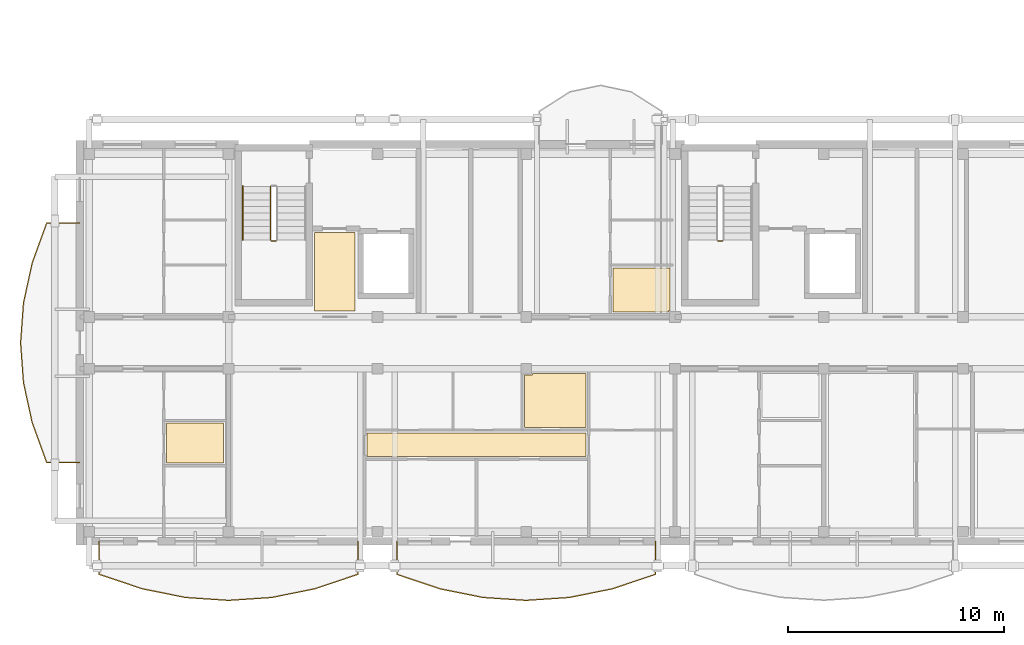
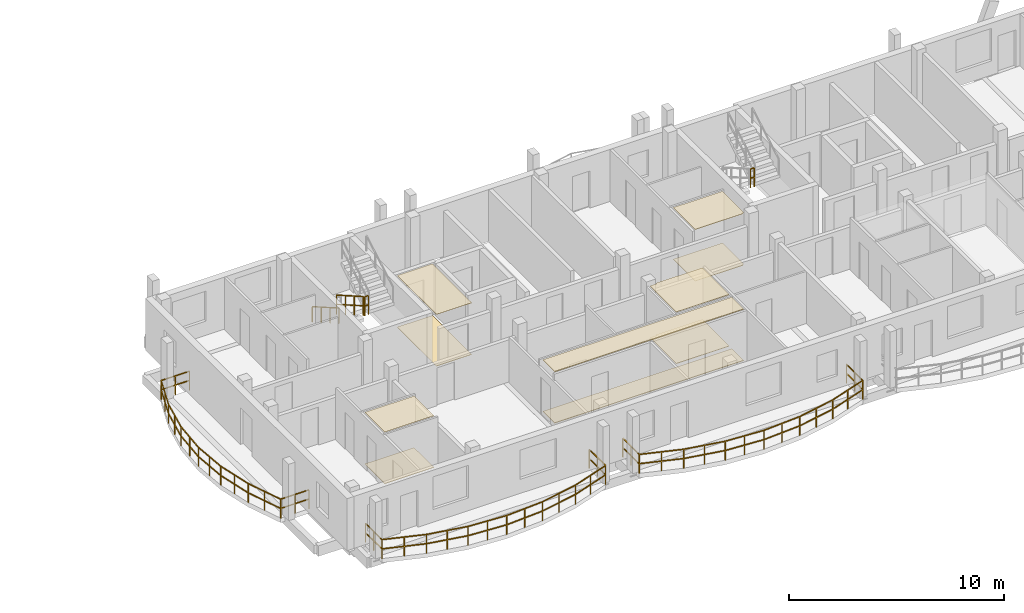
# One storey, part 33 of 42: 10 coverings, 7 railings.
"""IFC4 building model written with IfcOpenShell, lengths in metres."""

from ifc_helpers import new_model, si_unit, direction, frame, origin, origin_2d, place, context, subcontext, project, spatial, polyline, rectangle, outline, extrude, material, layer, layer_set, type_object, element, save


model = new_model("IFC4")

# Units and contexts
model_context = context("Model", 3, precision=1e-05, world=origin(), true_north=direction((0.0, 1.0)))
body_context = subcontext(model_context, "Body", "Model", "MODEL_VIEW")
ifc_project = project(units=[si_unit("LENGTHUNIT", "METRE"), si_unit("AREAUNIT", "SQUARE_METRE"), si_unit("VOLUMEUNIT", "CUBIC_METRE"), si_unit("PLANEANGLEUNIT", "RADIAN"), si_unit("MASSUNIT", "GRAM", prefix="KILO")], contexts=[model_context])

# Site, building, storey
site_placement = place(None, origin())
site = spatial("IfcSite", under=ifc_project, at=site_placement, CompositionType="ELEMENT")
building_placement = place(site_placement, origin())
building = spatial("IfcBuilding", under=site, at=building_placement, Name="Zavelmont Quarter", CompositionType="ELEMENT")
storey_placement = place(building_placement, frame((0.0, 0.0, 24.0)))
storey = spatial("IfcBuildingStorey", under=building, at=storey_placement, Name="L07", CompositionType="ELEMENT", Elevation=24.0)

# Coverings
ifc_material_1 = material(Name="Perforated acoustic gypsum board")
ifc_layer_1 = layer(ifc_material_1, 0.02490234375)
ifc_layer_set_1 = layer_set([ifc_layer_1], Name="Perforated acoustic gypsum board")
covering_type_1 = type_object("IfcCoveringType", Name="CV-CL01", PredefinedType="CEILING", material=ifc_layer_set_1)
covering_1_placement = place(storey_placement, frame((0.0, 0.0, 2.925048828125)))
element("IfcCovering", 1, at=covering_1_placement, inside=storey, type_object=covering_type_1, Name="L07 Lobby Vestibule acoustic ceiling", PredefinedType="CEILING", context=body_context, shape_type="SweptSolid", body=[
    extrude(outline(polyline([(10.8798828125, 14.320068359375), (12.77001953125, 14.320068359375), (12.77001953125, 10.679931640625), (10.8798828125, 10.679931640625), (10.8798828125, 14.320068359375)])), origin(), (0.0, 0.0, 1.0), 0.02490234375),
])
covering_2_placement = place(storey_placement, frame((0.0, 0.0, 2.925048828125)))
element("IfcCovering", 2, at=covering_2_placement, inside=storey, type_object=covering_type_1, Name="L07 Utility Laundry acoustic ceiling", PredefinedType="CEILING", context=body_context, shape_type="SweptSolid", body=[
    extrude(outline(polyline([(20.6298828125, 7.7099609375), (20.989990234375, 7.7099609375), (20.989990234375, 7.77001953125), (23.469970703125, 7.77001953125), (23.469970703125, 5.280029296875), (20.6298828125, 5.280029296875), (20.6298828125, 7.7099609375)])), origin(), (0.0, 0.0, 1.0), 0.02490234375),
])
covering_3_placement = place(storey_placement, frame((0.0, 0.0, 2.925048828125)))
element("IfcCovering", 3, at=covering_3_placement, inside=storey, type_object=covering_type_1, Name="L07 Kitchen acoustic ceiling", PredefinedType="CEILING", context=body_context, shape_type="SweptSolid", body=[
    extrude(outline(polyline([(24.72998046875, 12.669921875), (27.3701171875, 12.669921875), (27.3701171875, 10.68994140625), (27.31005859375, 10.68994140625), (27.31005859375, 10.6298828125), (24.72998046875, 10.6298828125), (24.72998046875, 12.669921875)])), origin(), (0.0, 0.0, 1.0), 0.02490234375),
])
ifc_material_2 = material(Name="Slatted European ash acoustic baffle ceiling")
ifc_layer_2 = layer(ifc_material_2, 0.0400390625)
ifc_layer_set_2 = layer_set([ifc_layer_2], Name="Slatted European ash acoustic baffle ceiling")
covering_type_2 = type_object("IfcCoveringType", Name="CV-CL02", PredefinedType="CEILING", material=ifc_layer_set_2)
covering_4_placement = place(storey_placement, frame((0.0, 0.0, 2.909912109375)))
element("IfcCovering", 4, at=covering_4_placement, inside=storey, type_object=covering_type_2, Name="L07 Apartment Hall acoustic ceiling", PredefinedType="CEILING", context=body_context, shape_type="SweptSolid", body=[
    extrude(outline(polyline([(13.330078125, 5.02001953125), (23.469970703125, 5.02001953125), (23.469970703125, 3.929931640625), (13.330078125, 3.929931640625), (13.330078125, 5.02001953125)])), origin(), (0.0, 0.0, 1.0), 0.0400390625),
])
ifc_material_3 = material(Name="Moisture-resistant painted gypsum ceiling")
ifc_layer_3 = layer(ifc_material_3, 0.02001953125)
ifc_layer_set_3 = layer_set([ifc_layer_3], Name="Moisture-resistant painted gypsum ceiling")
covering_type_3 = type_object("IfcCoveringType", Name="CV-CL04", PredefinedType="CEILING", material=ifc_layer_set_3)
covering_5_placement = place(storey_placement, frame((0.0, 0.0, 2.929931640625)))
element("IfcCovering", 5, at=covering_5_placement, inside=storey, type_object=covering_type_3, Name="L07 Bathroom acoustic ceiling", PredefinedType="CEILING", context=body_context, shape_type="SweptSolid", body=[
    extrude(outline(polyline([(4.030029296875, 5.469970703125), (6.669921875, 5.469970703125), (6.669921875, 3.6298828125), (4.030029296875, 3.6298828125), (4.030029296875, 5.469970703125)])), origin(), (0.0, 0.0, 1.0), 0.02001953125),
])
ifc_material_4 = material(Name="Engineered European oak parquet")
ifc_layer_4 = layer(ifc_material_4, 0.02197265625)
ifc_layer_set_4 = layer_set([ifc_layer_4], Name="Engineered European oak parquet")
covering_type_4 = type_object("IfcCoveringType", Name="CV-FL01", PredefinedType="FLOORING", material=ifc_layer_set_4)
covering_6_placement = place(storey_placement, origin())
element("IfcCovering", 6, at=covering_6_placement, inside=storey, type_object=covering_type_4, Name="L07 Lobby Vestibule floor finish", PredefinedType="FLOORING", context=body_context, shape_type="SweptSolid", body=[
    extrude(outline(polyline([(10.8798828125, 14.320068359375), (12.77001953125, 14.320068359375), (12.77001953125, 10.679931640625), (10.8798828125, 10.679931640625), (10.8798828125, 14.320068359375)])), origin(), (0.0, 0.0, 1.0), 0.02197265625),
])
covering_7_placement = place(storey_placement, origin())
element("IfcCovering", 7, at=covering_7_placement, inside=storey, type_object=covering_type_4, Name="L07 Utility Laundry floor finish", PredefinedType="FLOORING", context=body_context, shape_type="SweptSolid", body=[
    extrude(outline(polyline([(20.6298828125, 7.7099609375), (20.989990234375, 7.7099609375), (20.989990234375, 7.77001953125), (23.469970703125, 7.77001953125), (23.469970703125, 5.280029296875), (20.6298828125, 5.280029296875), (20.6298828125, 7.7099609375)])), origin(), (0.0, 0.0, 1.0), 0.02197265625),
])
covering_8_placement = place(storey_placement, origin())
element("IfcCovering", 8, at=covering_8_placement, inside=storey, type_object=covering_type_4, Name="L07 Kitchen floor finish", PredefinedType="FLOORING", context=body_context, shape_type="SweptSolid", body=[
    extrude(outline(polyline([(24.72998046875, 12.669921875), (27.3701171875, 12.669921875), (27.3701171875, 10.68994140625), (27.31005859375, 10.68994140625), (27.31005859375, 10.6298828125), (24.72998046875, 10.6298828125), (24.72998046875, 12.669921875)])), origin(), (0.0, 0.0, 1.0), 0.02197265625),
])
ifc_material_5 = material(Name="Honed Belgian bluestone tile", Category="masonry")
ifc_layer_5 = layer(ifc_material_5, 0.030029296875)
ifc_layer_set_5 = layer_set([ifc_layer_5], Name="Honed Belgian bluestone tile")
covering_type_5 = type_object("IfcCoveringType", Name="CV-FL02", PredefinedType="FLOORING", material=ifc_layer_set_5)
covering_9_placement = place(storey_placement, origin())
element("IfcCovering", 9, at=covering_9_placement, inside=storey, type_object=covering_type_5, Name="L07 Apartment Hall floor finish", PredefinedType="FLOORING", context=body_context, shape_type="SweptSolid", body=[
    extrude(outline(polyline([(13.330078125, 5.02001953125), (23.469970703125, 5.02001953125), (23.469970703125, 3.929931640625), (13.330078125, 3.929931640625), (13.330078125, 5.02001953125)])), origin(), (0.0, 0.0, 1.0), 0.030029296875),
])
ifc_material_6 = material(Name="Slip-resistant porcelain tile")
ifc_layer_6 = layer(ifc_material_6, 0.02587890625)
ifc_layer_set_6 = layer_set([ifc_layer_6], Name="Slip-resistant porcelain tile")
covering_type_6 = type_object("IfcCoveringType", Name="CV-FL04", PredefinedType="FLOORING", material=ifc_layer_set_6)
covering_10_placement = place(storey_placement, origin())
element("IfcCovering", 10, at=covering_10_placement, inside=storey, type_object=covering_type_6, Name="L07 Bathroom floor finish", PredefinedType="FLOORING", context=body_context, shape_type="SweptSolid", body=[
    extrude(outline(polyline([(4.030029296875, 5.469970703125), (6.669921875, 5.469970703125), (6.669921875, 3.6298828125), (4.030029296875, 3.6298828125), (4.030029296875, 5.469970703125)])), origin(), (0.0, 0.0, 1.0), 0.02587890625),
])

# Railings
ifc_material_7 = material(Name="Powder-coated steel and tempered double safety glass", Category="steel")
railing_type_1 = type_object("IfcRailingType", Name="RL-BAL1", PredefinedType="BALUSTRADE", material=ifc_material_7)
railing_1_placement = place(storey_placement, frame((0.89990234375, -0.02001953125, 0.0)))
element("IfcRailing", 11, at=railing_1_placement, inside=storey, type_object=railing_type_1, Name="L07 Block A curved balcony guard RL-BAL1", PredefinedType="BALUSTRADE", context=body_context, shape_type="SweptSolid", body=[
    extrude(rectangle(XDim=0.048095703125, YDim=0.048095703125, at=origin_2d()), frame((0.0, 0.0, 1.076171875), z_axis=(0.0, -1.0, 0.0), x_axis=(1.0, 0.0, 0.0)), (0.0, 0.0, 1.0), 1.518798828125),
    extrude(rectangle(XDim=0.048095703125, YDim=0.048095703125, at=origin_2d()), frame((0.0, 0.0, 0.550048828125), z_axis=(0.0, -1.0, 0.0), x_axis=(1.0, 0.0, 0.0)), (0.0, 0.0, 1.0), 1.518798828125),
    extrude(rectangle(XDim=0.048095703125, YDim=0.048095703125, at=origin_2d()), frame((0.0, -1.518798828125, 1.076171875), z_axis=(0.947940118274, -0.318448633483, 0.0), x_axis=(0.318448633483, 0.947940118274, 0.0)), (0.0, 0.0, 1.0), 2.10986328125),
    extrude(rectangle(XDim=0.048095703125, YDim=0.048095703125, at=origin_2d()), frame((0.0, -1.518798828125, 0.550048828125), z_axis=(0.947940118274, -0.318448633483, 0.0), x_axis=(0.318448633483, 0.947940118274, 0.0)), (0.0, 0.0, 1.0), 2.10986328125),
    extrude(rectangle(XDim=0.048095703125, YDim=0.048095703125, at=origin_2d()), frame((2.0, -2.190673828125, 1.076171875), z_axis=(0.980289648233, -0.197565699369, 0.0), x_axis=(0.197565699369, 0.980289648233, 0.0)), (0.0, 0.0, 1.0), 2.040283203125),
    extrude(rectangle(XDim=0.048095703125, YDim=0.048095703125, at=origin_2d()), frame((2.0, -2.190673828125, 0.550048828125), z_axis=(0.980289648233, -0.197565699369, 0.0), x_axis=(0.197565699369, 0.980289648233, 0.0)), (0.0, 0.0, 1.0), 2.040283203125),
    extrude(rectangle(XDim=0.048095703125, YDim=0.048095703125, at=origin_2d()), frame((4.0, -2.59375, 1.076171875), z_axis=(0.997753790287, -0.066987864338, 0.0), x_axis=(0.066987864338, 0.997753790287, 0.0)), (0.0, 0.0, 1.0), 2.00439453125),
    extrude(rectangle(XDim=0.048095703125, YDim=0.048095703125, at=origin_2d()), frame((4.0, -2.59375, 0.550048828125), z_axis=(0.997753790287, -0.066987864338, 0.0), x_axis=(0.066987864338, 0.997753790287, 0.0)), (0.0, 0.0, 1.0), 2.00439453125),
    extrude(rectangle(XDim=0.048095703125, YDim=0.048095703125, at=origin_2d()), frame((6.0, -2.72802734375, 1.076171875), z_axis=(0.997753790287, 0.066987864338, 0.0), x_axis=(-0.066987864338, 0.997753790287, 0.0)), (0.0, 0.0, 1.0), 2.00439453125),
    extrude(rectangle(XDim=0.048095703125, YDim=0.048095703125, at=origin_2d()), frame((6.0, -2.72802734375, 0.550048828125), z_axis=(0.997753790287, 0.066987864338, 0.0), x_axis=(-0.066987864338, 0.997753790287, 0.0)), (0.0, 0.0, 1.0), 2.00439453125),
    extrude(rectangle(XDim=0.048095703125, YDim=0.048095703125, at=origin_2d()), frame((8.0, -2.59375, 1.076171875), z_axis=(0.980289648233, 0.197565699369, 0.0), x_axis=(-0.197565699369, 0.980289648233, 0.0)), (0.0, 0.0, 1.0), 2.040283203125),
    extrude(rectangle(XDim=0.048095703125, YDim=0.048095703125, at=origin_2d()), frame((8.0, -2.59375, 0.550048828125), z_axis=(0.980289648233, 0.197565699369, 0.0), x_axis=(-0.197565699369, 0.980289648233, 0.0)), (0.0, 0.0, 1.0), 2.040283203125),
    extrude(rectangle(XDim=0.048095703125, YDim=0.048095703125, at=origin_2d()), frame((10.0, -2.190673828125, 1.076171875), z_axis=(0.947940118274, 0.318448633483, 0.0), x_axis=(-0.318448633483, 0.947940118274, 0.0)), (0.0, 0.0, 1.0), 2.10986328125),
    extrude(rectangle(XDim=0.048095703125, YDim=0.048095703125, at=origin_2d()), frame((10.0, -2.190673828125, 0.550048828125), z_axis=(0.947940118274, 0.318448633483, 0.0), x_axis=(-0.318448633483, 0.947940118274, 0.0)), (0.0, 0.0, 1.0), 2.10986328125),
    extrude(rectangle(XDim=0.048095703125, YDim=0.048095703125, at=origin_2d()), frame((12.0, -1.518798828125, 1.076171875), z_axis=(0.0, 1.0, 0.0), x_axis=(-1.0, 0.0, 0.0)), (0.0, 0.0, 1.0), 1.518798828125),
    extrude(rectangle(XDim=0.048095703125, YDim=0.048095703125, at=origin_2d()), frame((12.0, -1.518798828125, 0.550048828125), z_axis=(0.0, 1.0, 0.0), x_axis=(-1.0, 0.0, 0.0)), (0.0, 0.0, 1.0), 1.518798828125),
    extrude(rectangle(XDim=0.0419921875, YDim=0.0419921875, at=origin_2d()), origin(), (0.0, 0.0, 1.0), 1.052001953125),
    extrude(rectangle(XDim=0.0419921875, YDim=0.0419921875, at=origin_2d()), frame((0.0, -0.75927734375, 0.0)), (0.0, 0.0, 1.0), 1.052001953125),
    extrude(rectangle(XDim=0.0419921875, YDim=0.0419921875, at=origin_2d()), frame((0.0, -1.518798828125, 0.0)), (0.0, 0.0, 1.0), 1.052001953125),
    extrude(rectangle(XDim=0.0419921875, YDim=0.0419921875, at=origin_2d()), frame((1.0, -1.854736328125, 0.0)), (0.0, 0.0, 1.0), 1.052001953125),
    extrude(rectangle(XDim=0.0419921875, YDim=0.0419921875, at=origin_2d()), frame((2.0, -2.190673828125, 0.0)), (0.0, 0.0, 1.0), 1.052001953125),
    extrude(rectangle(XDim=0.0419921875, YDim=0.0419921875, at=origin_2d()), frame((3.0, -2.39208984375, 0.0)), (0.0, 0.0, 1.0), 1.052001953125),
    extrude(rectangle(XDim=0.0419921875, YDim=0.0419921875, at=origin_2d()), frame((4.0, -2.59375, 0.0)), (0.0, 0.0, 1.0), 1.052001953125),
    extrude(rectangle(XDim=0.0419921875, YDim=0.0419921875, at=origin_2d()), frame((5.0, -2.660888671875, 0.0)), (0.0, 0.0, 1.0), 1.052001953125),
    extrude(rectangle(XDim=0.0419921875, YDim=0.0419921875, at=origin_2d()), frame((6.0, -2.72802734375, 0.0)), (0.0, 0.0, 1.0), 1.052001953125),
    extrude(rectangle(XDim=0.0419921875, YDim=0.0419921875, at=origin_2d()), frame((7.0, -2.660888671875, 0.0)), (0.0, 0.0, 1.0), 1.052001953125),
    extrude(rectangle(XDim=0.0419921875, YDim=0.0419921875, at=origin_2d()), frame((8.0, -2.59375, 0.0)), (0.0, 0.0, 1.0), 1.052001953125),
    extrude(rectangle(XDim=0.0419921875, YDim=0.0419921875, at=origin_2d()), frame((9.0, -2.39208984375, 0.0)), (0.0, 0.0, 1.0), 1.052001953125),
    extrude(rectangle(XDim=0.0419921875, YDim=0.0419921875, at=origin_2d()), frame((10.0, -2.190673828125, 0.0)), (0.0, 0.0, 1.0), 1.052001953125),
    extrude(rectangle(XDim=0.0419921875, YDim=0.0419921875, at=origin_2d()), frame((11.0, -1.854736328125, 0.0)), (0.0, 0.0, 1.0), 1.052001953125),
    extrude(rectangle(XDim=0.0419921875, YDim=0.0419921875, at=origin_2d()), frame((12.0, -1.518798828125, 0.0)), (0.0, 0.0, 1.0), 1.052001953125),
    extrude(rectangle(XDim=0.0419921875, YDim=0.0419921875, at=origin_2d()), frame((12.0, -0.75927734375, 0.0)), (0.0, 0.0, 1.0), 1.052001953125),
    extrude(rectangle(XDim=0.0419921875, YDim=0.0419921875, at=origin_2d()), frame((12.0, 0.0, 0.0)), (0.0, 0.0, 1.0), 1.052001953125),
])
railing_2_placement = place(storey_placement, frame((14.699951171875, -0.02001953125, 0.0)))
element("IfcRailing", 12, at=railing_2_placement, inside=storey, type_object=railing_type_1, Name="L07 Block A curved balcony guard RL-BAL1", PredefinedType="BALUSTRADE", context=body_context, shape_type="SweptSolid", body=[
    extrude(rectangle(XDim=0.048095703125, YDim=0.048095703125, at=origin_2d()), frame((0.0, 0.0, 1.076171875), z_axis=(0.0, -1.0, 0.0), x_axis=(1.0, 0.0, 0.0)), (0.0, 0.0, 1.0), 1.518798828125),
    extrude(rectangle(XDim=0.048095703125, YDim=0.048095703125, at=origin_2d()), frame((0.0, 0.0, 0.550048828125), z_axis=(0.0, -1.0, 0.0), x_axis=(1.0, 0.0, 0.0)), (0.0, 0.0, 1.0), 1.518798828125),
    extrude(rectangle(XDim=0.048095703125, YDim=0.048095703125, at=origin_2d()), frame((0.0, -1.518798828125, 1.076171875), z_axis=(0.947940118274, -0.318448633483, 0.0), x_axis=(0.318448633483, 0.947940118274, 0.0)), (0.0, 0.0, 1.0), 2.10986328125),
    extrude(rectangle(XDim=0.048095703125, YDim=0.048095703125, at=origin_2d()), frame((0.0, -1.518798828125, 0.550048828125), z_axis=(0.947940118274, -0.318448633483, 0.0), x_axis=(0.318448633483, 0.947940118274, 0.0)), (0.0, 0.0, 1.0), 2.10986328125),
    extrude(rectangle(XDim=0.048095703125, YDim=0.048095703125, at=origin_2d()), frame((2.0, -2.190673828125, 1.076171875), z_axis=(0.980289648233, -0.197565699369, 0.0), x_axis=(0.197565699369, 0.980289648233, 0.0)), (0.0, 0.0, 1.0), 2.040283203125),
    extrude(rectangle(XDim=0.048095703125, YDim=0.048095703125, at=origin_2d()), frame((2.0, -2.190673828125, 0.550048828125), z_axis=(0.980289648233, -0.197565699369, 0.0), x_axis=(0.197565699369, 0.980289648233, 0.0)), (0.0, 0.0, 1.0), 2.040283203125),
    extrude(rectangle(XDim=0.048095703125, YDim=0.048095703125, at=origin_2d()), frame((4.0, -2.59375, 1.076171875), z_axis=(0.997753790287, -0.066987864338, 0.0), x_axis=(0.066987864338, 0.997753790287, 0.0)), (0.0, 0.0, 1.0), 2.00439453125),
    extrude(rectangle(XDim=0.048095703125, YDim=0.048095703125, at=origin_2d()), frame((4.0, -2.59375, 0.550048828125), z_axis=(0.997753790287, -0.066987864338, 0.0), x_axis=(0.066987864338, 0.997753790287, 0.0)), (0.0, 0.0, 1.0), 2.00439453125),
    extrude(rectangle(XDim=0.048095703125, YDim=0.048095703125, at=origin_2d()), frame((6.0, -2.72802734375, 1.076171875), z_axis=(0.997753790287, 0.066987864338, 0.0), x_axis=(-0.066987864338, 0.997753790287, 0.0)), (0.0, 0.0, 1.0), 2.00439453125),
    extrude(rectangle(XDim=0.048095703125, YDim=0.048095703125, at=origin_2d()), frame((6.0, -2.72802734375, 0.550048828125), z_axis=(0.997753790287, 0.066987864338, 0.0), x_axis=(-0.066987864338, 0.997753790287, 0.0)), (0.0, 0.0, 1.0), 2.00439453125),
    extrude(rectangle(XDim=0.048095703125, YDim=0.048095703125, at=origin_2d()), frame((8.0, -2.59375, 1.076171875), z_axis=(0.980289648233, 0.197565699369, 0.0), x_axis=(-0.197565699369, 0.980289648233, 0.0)), (0.0, 0.0, 1.0), 2.040283203125),
    extrude(rectangle(XDim=0.048095703125, YDim=0.048095703125, at=origin_2d()), frame((8.0, -2.59375, 0.550048828125), z_axis=(0.980289648233, 0.197565699369, 0.0), x_axis=(-0.197565699369, 0.980289648233, 0.0)), (0.0, 0.0, 1.0), 2.040283203125),
    extrude(rectangle(XDim=0.048095703125, YDim=0.048095703125, at=origin_2d()), frame((10.0, -2.190673828125, 1.076171875), z_axis=(0.947940118274, 0.318448633483, 0.0), x_axis=(-0.318448633483, 0.947940118274, 0.0)), (0.0, 0.0, 1.0), 2.10986328125),
    extrude(rectangle(XDim=0.048095703125, YDim=0.048095703125, at=origin_2d()), frame((10.0, -2.190673828125, 0.550048828125), z_axis=(0.947940118274, 0.318448633483, 0.0), x_axis=(-0.318448633483, 0.947940118274, 0.0)), (0.0, 0.0, 1.0), 2.10986328125),
    extrude(rectangle(XDim=0.048095703125, YDim=0.048095703125, at=origin_2d()), frame((12.0, -1.518798828125, 1.076171875), z_axis=(0.0, 1.0, 0.0), x_axis=(-1.0, 0.0, 0.0)), (0.0, 0.0, 1.0), 1.518798828125),
    extrude(rectangle(XDim=0.048095703125, YDim=0.048095703125, at=origin_2d()), frame((12.0, -1.518798828125, 0.550048828125), z_axis=(0.0, 1.0, 0.0), x_axis=(-1.0, 0.0, 0.0)), (0.0, 0.0, 1.0), 1.518798828125),
    extrude(rectangle(XDim=0.0419921875, YDim=0.0419921875, at=origin_2d()), origin(), (0.0, 0.0, 1.0), 1.052001953125),
    extrude(rectangle(XDim=0.0419921875, YDim=0.0419921875, at=origin_2d()), frame((0.0, -0.75927734375, 0.0)), (0.0, 0.0, 1.0), 1.052001953125),
    extrude(rectangle(XDim=0.0419921875, YDim=0.0419921875, at=origin_2d()), frame((0.0, -1.518798828125, 0.0)), (0.0, 0.0, 1.0), 1.052001953125),
    extrude(rectangle(XDim=0.0419921875, YDim=0.0419921875, at=origin_2d()), frame((1.0, -1.854736328125, 0.0)), (0.0, 0.0, 1.0), 1.052001953125),
    extrude(rectangle(XDim=0.0419921875, YDim=0.0419921875, at=origin_2d()), frame((2.0, -2.190673828125, 0.0)), (0.0, 0.0, 1.0), 1.052001953125),
    extrude(rectangle(XDim=0.0419921875, YDim=0.0419921875, at=origin_2d()), frame((3.0, -2.39208984375, 0.0)), (0.0, 0.0, 1.0), 1.052001953125),
    extrude(rectangle(XDim=0.0419921875, YDim=0.0419921875, at=origin_2d()), frame((4.0, -2.59375, 0.0)), (0.0, 0.0, 1.0), 1.052001953125),
    extrude(rectangle(XDim=0.0419921875, YDim=0.0419921875, at=origin_2d()), frame((5.0, -2.660888671875, 0.0)), (0.0, 0.0, 1.0), 1.052001953125),
    extrude(rectangle(XDim=0.0419921875, YDim=0.0419921875, at=origin_2d()), frame((6.0, -2.72802734375, 0.0)), (0.0, 0.0, 1.0), 1.052001953125),
    extrude(rectangle(XDim=0.0419921875, YDim=0.0419921875, at=origin_2d()), frame((7.0, -2.660888671875, 0.0)), (0.0, 0.0, 1.0), 1.052001953125),
    extrude(rectangle(XDim=0.0419921875, YDim=0.0419921875, at=origin_2d()), frame((8.0, -2.59375, 0.0)), (0.0, 0.0, 1.0), 1.052001953125),
    extrude(rectangle(XDim=0.0419921875, YDim=0.0419921875, at=origin_2d()), frame((9.0, -2.39208984375, 0.0)), (0.0, 0.0, 1.0), 1.052001953125),
    extrude(rectangle(XDim=0.0419921875, YDim=0.0419921875, at=origin_2d()), frame((10.0, -2.190673828125, 0.0)), (0.0, 0.0, 1.0), 1.052001953125),
    extrude(rectangle(XDim=0.0419921875, YDim=0.0419921875, at=origin_2d()), frame((11.0, -1.854736328125, 0.0)), (0.0, 0.0, 1.0), 1.052001953125),
    extrude(rectangle(XDim=0.0419921875, YDim=0.0419921875, at=origin_2d()), frame((12.0, -1.518798828125, 0.0)), (0.0, 0.0, 1.0), 1.052001953125),
    extrude(rectangle(XDim=0.0419921875, YDim=0.0419921875, at=origin_2d()), frame((12.0, -0.75927734375, 0.0)), (0.0, 0.0, 1.0), 1.052001953125),
    extrude(rectangle(XDim=0.0419921875, YDim=0.0419921875, at=origin_2d()), frame((12.0, 0.0, 0.0)), (0.0, 0.0, 1.0), 1.052001953125),
])
railing_3_placement = place(storey_placement, frame((-0.02001953125, 14.75, 0.0)))
element("IfcRailing", 13, at=railing_3_placement, inside=storey, type_object=railing_type_1, Name="L07 Block A curved balcony guard RL-BAL1", PredefinedType="BALUSTRADE", context=body_context, shape_type="SweptSolid", body=[
    extrude(rectangle(XDim=0.048095703125, YDim=0.048095703125, at=origin_2d()), frame((0.0, 0.0, 1.076171875), z_axis=(-1.0, 0.0, 0.0), x_axis=(0.0, -1.0, 0.0)), (0.0, 0.0, 1.0), 1.518798828125),
    extrude(rectangle(XDim=0.048095703125, YDim=0.048095703125, at=origin_2d()), frame((0.0, 0.0, 0.550048828125), z_axis=(-1.0, 0.0, 0.0), x_axis=(0.0, -1.0, 0.0)), (0.0, 0.0, 1.0), 1.518798828125),
    extrude(rectangle(XDim=0.048095703125, YDim=0.048095703125, at=origin_2d()), frame((-1.518798828125, 0.0, 1.076171875), z_axis=(-0.341344671391, -0.939938197603, 0.0), x_axis=(0.939938197603, -0.341344671391, 0.0)), (0.0, 0.0, 1.0), 1.96826171875),
    extrude(rectangle(XDim=0.048095703125, YDim=0.048095703125, at=origin_2d()), frame((-1.518798828125, 0.0, 0.550048828125), z_axis=(-0.341344671391, -0.939938197603, 0.0), x_axis=(0.939938197603, -0.341344671391, 0.0)), (0.0, 0.0, 1.0), 1.96826171875),
    extrude(rectangle(XDim=0.048095703125, YDim=0.048095703125, at=origin_2d()), frame((-2.190673828125, -1.85009765625, 1.076171875), z_axis=(-0.21290073888, -0.977073833128, 0.0), x_axis=(0.977073833128, -0.21290073888, 0.0)), (0.0, 0.0, 1.0), 1.893310546875),
    extrude(rectangle(XDim=0.048095703125, YDim=0.048095703125, at=origin_2d()), frame((-2.190673828125, -1.85009765625, 0.550048828125), z_axis=(-0.21290073888, -0.977073833128, 0.0), x_axis=(0.977073833128, -0.21290073888, 0.0)), (0.0, 0.0, 1.0), 1.893310546875),
    extrude(rectangle(XDim=0.048095703125, YDim=0.048095703125, at=origin_2d()), frame((-2.59375, -3.699951171875, 1.076171875), z_axis=(-0.072388109887, -0.997376539501, 0.0), x_axis=(0.997376539501, -0.072388109887, 0.0)), (0.0, 0.0, 1.0), 1.85498046875),
    extrude(rectangle(XDim=0.048095703125, YDim=0.048095703125, at=origin_2d()), frame((-2.59375, -3.699951171875, 0.550048828125), z_axis=(-0.072388109887, -0.997376539501, 0.0), x_axis=(0.997376539501, -0.072388109887, 0.0)), (0.0, 0.0, 1.0), 1.85498046875),
    extrude(rectangle(XDim=0.048095703125, YDim=0.048095703125, at=origin_2d()), frame((-2.72802734375, -5.550048828125, 1.076171875), z_axis=(0.07239761348, -0.997375849699, 0.0), x_axis=(0.997375849699, 0.07239761348, 0.0)), (0.0, 0.0, 1.0), 1.854736328125),
    extrude(rectangle(XDim=0.048095703125, YDim=0.048095703125, at=origin_2d()), frame((-2.72802734375, -5.550048828125, 0.550048828125), z_axis=(0.07239761348, -0.997375849699, 0.0), x_axis=(0.997375849699, 0.07239761348, 0.0)), (0.0, 0.0, 1.0), 1.854736328125),
    extrude(rectangle(XDim=0.048095703125, YDim=0.048095703125, at=origin_2d()), frame((-2.59375, -7.39990234375, 1.076171875), z_axis=(0.212873917493, -0.977079677023, 0.0), x_axis=(0.977079677023, 0.212873917493, 0.0)), (0.0, 0.0, 1.0), 1.8935546875),
    extrude(rectangle(XDim=0.048095703125, YDim=0.048095703125, at=origin_2d()), frame((-2.59375, -7.39990234375, 0.550048828125), z_axis=(0.212873917493, -0.977079677023, 0.0), x_axis=(0.977079677023, 0.212873917493, 0.0)), (0.0, 0.0, 1.0), 1.8935546875),
    extrude(rectangle(XDim=0.048095703125, YDim=0.048095703125, at=origin_2d()), frame((-2.190673828125, -9.25, 1.076171875), z_axis=(0.341344671391, -0.939938197603, 0.0), x_axis=(0.939938197603, 0.341344671391, 0.0)), (0.0, 0.0, 1.0), 1.96826171875),
    extrude(rectangle(XDim=0.048095703125, YDim=0.048095703125, at=origin_2d()), frame((-2.190673828125, -9.25, 0.550048828125), z_axis=(0.341344671391, -0.939938197603, 0.0), x_axis=(0.939938197603, 0.341344671391, 0.0)), (0.0, 0.0, 1.0), 1.96826171875),
    extrude(rectangle(XDim=0.048095703125, YDim=0.048095703125, at=origin_2d()), frame((-1.518798828125, -11.10009765625, 1.076171875), z_axis=(1.0, 0.0, 0.0), x_axis=(0.0, 1.0, 0.0)), (0.0, 0.0, 1.0), 1.518798828125),
    extrude(rectangle(XDim=0.048095703125, YDim=0.048095703125, at=origin_2d()), frame((-1.518798828125, -11.10009765625, 0.550048828125), z_axis=(1.0, 0.0, 0.0), x_axis=(0.0, 1.0, 0.0)), (0.0, 0.0, 1.0), 1.518798828125),
    extrude(rectangle(XDim=0.0419921875, YDim=0.0419921875, at=origin_2d()), origin(), (0.0, 0.0, 1.0), 1.052001953125),
    extrude(rectangle(XDim=0.0419921875, YDim=0.0419921875, at=origin_2d()), frame((-0.75927734375, 0.0, 0.0)), (0.0, 0.0, 1.0), 1.052001953125),
    extrude(rectangle(XDim=0.0419921875, YDim=0.0419921875, at=origin_2d()), frame((-1.518798828125, 0.0, 0.0)), (0.0, 0.0, 1.0), 1.052001953125),
    extrude(rectangle(XDim=0.0419921875, YDim=0.0419921875, at=origin_2d()), frame((-1.854736328125, -0.925048828125, 0.0)), (0.0, 0.0, 1.0), 1.052001953125),
    extrude(rectangle(XDim=0.0419921875, YDim=0.0419921875, at=origin_2d()), frame((-2.190673828125, -1.85009765625, 0.0)), (0.0, 0.0, 1.0), 1.052001953125),
    extrude(rectangle(XDim=0.0419921875, YDim=0.0419921875, at=origin_2d()), frame((-2.39208984375, -2.77490234375, 0.0)), (0.0, 0.0, 1.0), 1.052001953125),
    extrude(rectangle(XDim=0.0419921875, YDim=0.0419921875, at=origin_2d()), frame((-2.59375, -3.699951171875, 0.0)), (0.0, 0.0, 1.0), 1.052001953125),
    extrude(rectangle(XDim=0.0419921875, YDim=0.0419921875, at=origin_2d()), frame((-2.660888671875, -4.625, 0.0)), (0.0, 0.0, 1.0), 1.052001953125),
    extrude(rectangle(XDim=0.0419921875, YDim=0.0419921875, at=origin_2d()), frame((-2.72802734375, -5.550048828125, 0.0)), (0.0, 0.0, 1.0), 1.052001953125),
    extrude(rectangle(XDim=0.0419921875, YDim=0.0419921875, at=origin_2d()), frame((-2.660888671875, -6.47509765625, 0.0)), (0.0, 0.0, 1.0), 1.052001953125),
    extrude(rectangle(XDim=0.0419921875, YDim=0.0419921875, at=origin_2d()), frame((-2.59375, -7.39990234375, 0.0)), (0.0, 0.0, 1.0), 1.052001953125),
    extrude(rectangle(XDim=0.0419921875, YDim=0.0419921875, at=origin_2d()), frame((-2.39208984375, -8.324951171875, 0.0)), (0.0, 0.0, 1.0), 1.052001953125),
    extrude(rectangle(XDim=0.0419921875, YDim=0.0419921875, at=origin_2d()), frame((-2.190673828125, -9.25, 0.0)), (0.0, 0.0, 1.0), 1.052001953125),
    extrude(rectangle(XDim=0.0419921875, YDim=0.0419921875, at=origin_2d()), frame((-1.854736328125, -10.175048828125, 0.0)), (0.0, 0.0, 1.0), 1.052001953125),
    extrude(rectangle(XDim=0.0419921875, YDim=0.0419921875, at=origin_2d()), frame((-1.518798828125, -11.10009765625, 0.0)), (0.0, 0.0, 1.0), 1.052001953125),
    extrude(rectangle(XDim=0.0419921875, YDim=0.0419921875, at=origin_2d()), frame((-0.75927734375, -11.10009765625, 0.0)), (0.0, 0.0, 1.0), 1.052001953125),
    extrude(rectangle(XDim=0.0419921875, YDim=0.0419921875, at=origin_2d()), frame((0.0, -11.10009765625, 0.0)), (0.0, 0.0, 1.0), 1.052001953125),
])
ifc_material_8 = material(Name="Powder-coated steel stair guardrail", Category="steel")
railing_type_2 = type_object("IfcRailingType", Name="RL-GRD1", PredefinedType="GUARDRAIL", material=ifc_material_8)
railing_4_placement = place(storey_placement, frame((8.85009765625, 16.449951171875, 0.177734375)))
element("IfcRailing", 14, at=railing_4_placement, inside=storey, type_object=railing_type_2, Name="L07 ST01 stair guardrail 1", PredefinedType="GUARDRAIL", context=body_context, shape_type="SweptSolid", body=[
    extrude(rectangle(XDim=0.048095703125, YDim=0.048095703125, at=origin_2d()), frame((0.0, 0.0, 1.076171875), z_axis=(0.0, -0.867453774394, 0.497517787913), x_axis=(1.0, 0.0, 0.0)), (0.0, 0.0, 1.0), 2.85888671875),
    extrude(rectangle(XDim=0.048095703125, YDim=0.048095703125, at=origin_2d()), frame((0.0, 0.0, 0.550048828125), z_axis=(0.0, -0.867453774394, 0.497517787913), x_axis=(1.0, 0.0, 0.0)), (0.0, 0.0, 1.0), 2.85888671875),
    extrude(rectangle(XDim=0.0419921875, YDim=0.0419921875, at=origin_2d()), origin(), (0.0, 0.0, 1.0), 1.052001953125),
    extrude(rectangle(XDim=0.0419921875, YDim=0.0419921875, at=origin_2d()), frame((0.0, -0.82666015625, 0.47412109375)), (0.0, 0.0, 1.0), 1.052001953125),
    extrude(rectangle(XDim=0.0419921875, YDim=0.0419921875, at=origin_2d()), frame((0.0, -1.6533203125, 0.9482421875)), (0.0, 0.0, 1.0), 1.052001953125),
    extrude(rectangle(XDim=0.0419921875, YDim=0.0419921875, at=origin_2d()), frame((0.0, -2.47998046875, 1.42236328125)), (0.0, 0.0, 1.0), 1.052001953125),
])
railing_5_placement = place(storey_placement, frame((8.89990234375, 13.919921875, 1.60009765625)))
element("IfcRailing", 15, at=railing_5_placement, inside=storey, type_object=railing_type_2, Name="L07 ST01 stair guardrail 2", PredefinedType="GUARDRAIL", context=body_context, shape_type="SweptSolid", body=[
    extrude(rectangle(XDim=0.048095703125, YDim=0.048095703125, at=origin_2d()), frame((0.0, 0.0, 1.076171875), z_axis=(1.0, 0.0, 0.0), x_axis=(0.0, 1.0, 0.0)), (0.0, 0.0, 1.0), 0.2001953125),
    extrude(rectangle(XDim=0.048095703125, YDim=0.048095703125, at=origin_2d()), frame((0.0, 0.0, 0.550048828125), z_axis=(1.0, 0.0, 0.0), x_axis=(0.0, 1.0, 0.0)), (0.0, 0.0, 1.0), 0.2001953125),
    extrude(rectangle(XDim=0.0419921875, YDim=0.0419921875, at=origin_2d()), origin(), (0.0, 0.0, 1.0), 1.052001953125),
    extrude(rectangle(XDim=0.0419921875, YDim=0.0419921875, at=origin_2d()), frame((0.2001953125, 0.0, 0.0)), (0.0, 0.0, 1.0), 1.052001953125),
])
railing_6_placement = place(storey_placement, frame((29.60009765625, 13.919921875, 1.60009765625)))
element("IfcRailing", 16, at=railing_6_placement, inside=storey, type_object=railing_type_2, Name="L07 ST02 stair guardrail 2", PredefinedType="GUARDRAIL", context=body_context, shape_type="SweptSolid", body=[
    extrude(rectangle(XDim=0.048095703125, YDim=0.048095703125, at=origin_2d()), frame((0.0, 0.0, 1.076171875), z_axis=(1.0, 0.0, 0.0), x_axis=(0.0, 1.0, 0.0)), (0.0, 0.0, 1.0), 0.199951171875),
    extrude(rectangle(XDim=0.048095703125, YDim=0.048095703125, at=origin_2d()), frame((0.0, 0.0, 0.550048828125), z_axis=(1.0, 0.0, 0.0), x_axis=(0.0, 1.0, 0.0)), (0.0, 0.0, 1.0), 0.199951171875),
    extrude(rectangle(XDim=0.0419921875, YDim=0.0419921875, at=origin_2d()), origin(), (0.0, 0.0, 1.0), 1.052001953125),
    extrude(rectangle(XDim=0.0419921875, YDim=0.0419921875, at=origin_2d()), frame((0.199951171875, 0.0, 0.0)), (0.0, 0.0, 1.0), 1.052001953125),
])
ifc_material_9 = material(Name="Brushed stainless-steel wall handrail", Category="steel")
railing_type_3 = type_object("IfcRailingType", Name="RL-HND1", PredefinedType="HANDRAIL", material=ifc_material_9)
railing_7_placement = place(storey_placement, frame((7.550048828125, 16.449951171875, 0.177734375)))
element("IfcRailing", 17, at=railing_7_placement, inside=storey, type_object=railing_type_3, Name="L07 ST01 stair handrail 1", PredefinedType="HANDRAIL", context=body_context, shape_type="SweptSolid", body=[
    extrude(rectangle(XDim=0.048095703125, YDim=0.048095703125, at=origin_2d()), frame((0.0, 0.0, 0.8759765625), z_axis=(0.0, -0.867453774394, 0.497517787913), x_axis=(1.0, 0.0, 0.0)), (0.0, 0.0, 1.0), 2.85888671875),
    extrude(rectangle(XDim=0.0419921875, YDim=0.0419921875, at=origin_2d()), origin(), (0.0, 0.0, 1.0), 0.851806640625),
    extrude(rectangle(XDim=0.0419921875, YDim=0.0419921875, at=origin_2d()), frame((0.0, -0.82666015625, 0.47412109375)), (0.0, 0.0, 1.0), 0.851806640625),
    extrude(rectangle(XDim=0.0419921875, YDim=0.0419921875, at=origin_2d()), frame((0.0, -1.6533203125, 0.9482421875)), (0.0, 0.0, 1.0), 0.851806640625),
    extrude(rectangle(XDim=0.0419921875, YDim=0.0419921875, at=origin_2d()), frame((0.0, -2.47998046875, 1.42236328125)), (0.0, 0.0, 1.0), 0.851806640625),
])

save(model, "model.ifc")
